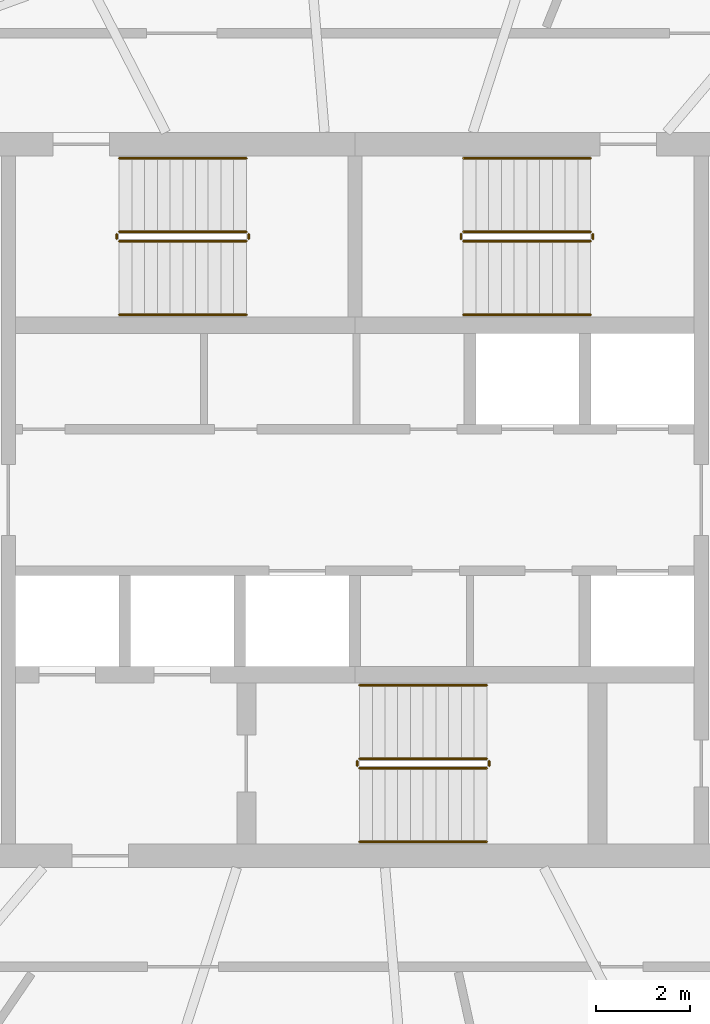
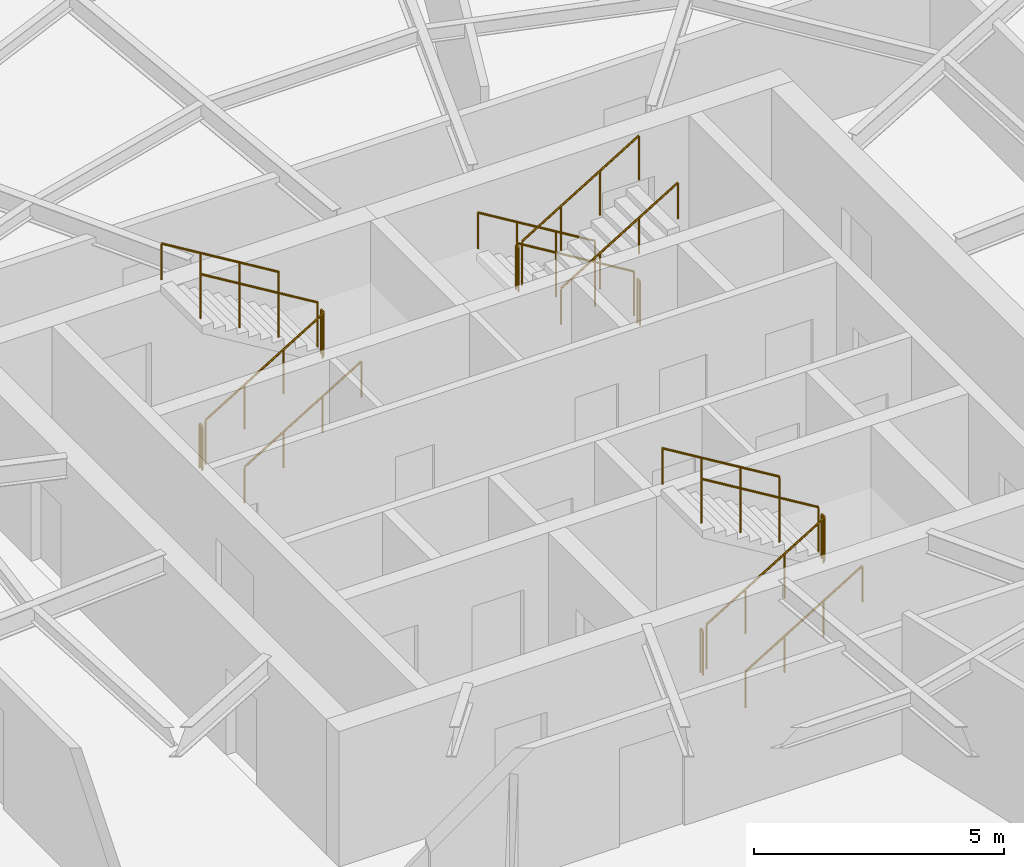
# One storey, part 13 of 14: 18 railings.
"""IFC4 building model written with IfcOpenShell, lengths in metres."""

from ifc_helpers import new_model, si_unit, direction, frame, origin, origin_2d, place, context, subcontext, project, spatial, circle, extrude, material, type_object, element, save


model = new_model("IFC4")

# Units and contexts
model_context = context("Model", 3, precision=1e-05, world=origin(), true_north=direction((0.0, 1.0)))
body_context = subcontext(model_context, "Body", "Model", "MODEL_VIEW")
ifc_project = project(units=[si_unit("LENGTHUNIT", "METRE"), si_unit("AREAUNIT", "SQUARE_METRE"), si_unit("VOLUMEUNIT", "CUBIC_METRE"), si_unit("PLANEANGLEUNIT", "RADIAN"), si_unit("MASSUNIT", "GRAM", prefix="KILO")], contexts=[model_context])

# Site, building, storey
site_placement = place(None, origin())
site = spatial("IfcSite", under=ifc_project, at=site_placement, CompositionType="ELEMENT")
building_placement = place(site_placement, origin())
building = spatial("IfcBuilding", under=site, at=building_placement, Name="Vermilion Reach Broadcast Tower", CompositionType="ELEMENT")
storey_placement = place(building_placement, frame((0.0, 0.0, 257.699951171875)))
storey = spatial("IfcBuildingStorey", under=building, at=storey_placement, Name="L63", CompositionType="ELEMENT", Elevation=257.699951171875)

# Railings
ifc_material_1 = material(Name="Stainless steel", Category="steel")
railing_type_1 = type_object("IfcRailingType", Name="Stair guard 1100", PredefinedType="GUARDRAIL", material=ifc_material_1)
railing_1_placement = place(storey_placement, frame((-11.0, 5.489990234375, 0.16357421875)))
element("IfcRailing", 1, at=railing_1_placement, inside=storey, type_object=railing_type_1, Name="L63 ST1 stair guard 1", PredefinedType="GUARDRAIL", context=body_context, shape_type="SweptSolid", body=[
    extrude(circle(Radius=0.02392578125, at=origin_2d()), frame((0.0, 0.0, 1.076171875), z_axis=(0.855178096276, 0.0, 0.518334277904), x_axis=(0.0, 1.0, 0.0)), (0.0, 0.0, 1.0), 3.1572265625),
    extrude(circle(Radius=0.02099609375, at=origin_2d()), origin(), (0.0, 0.0, 1.0), 1.052001953125),
    extrude(circle(Radius=0.02099609375, at=origin_2d()), frame((0.89990234375, 0.0, 0.54541015625)), (0.0, 0.0, 1.0), 1.052001953125),
    extrude(circle(Radius=0.02099609375, at=origin_2d()), frame((1.800048828125, 0.0, 1.091064453125)), (0.0, 0.0, 1.0), 1.052001953125),
    extrude(circle(Radius=0.02099609375, at=origin_2d()), frame((2.699951171875, 0.0, 1.636474609375)), (0.0, 0.0, 1.0), 1.052001953125),
])
railing_2_placement = place(storey_placement, frame((-8.25, 5.5400390625, 1.800048828125)))
element("IfcRailing", 2, at=railing_2_placement, inside=storey, type_object=railing_type_1, Name="L63 ST1 stair guard 2", PredefinedType="GUARDRAIL", context=body_context, shape_type="SweptSolid", body=[
    extrude(circle(Radius=0.02392578125, at=origin_2d()), frame((0.0, 0.0, 1.076171875), z_axis=(0.0, 1.0, 0.0), x_axis=(-1.0, 0.0, 0.0)), (0.0, 0.0, 1.0), 0.099853515625),
    extrude(circle(Radius=0.02099609375, at=origin_2d()), origin(), (0.0, 0.0, 1.0), 1.052001953125),
    extrude(circle(Radius=0.02099609375, at=origin_2d()), frame((0.0, 0.099853515625, 0.0)), (0.0, 0.0, 1.0), 1.052001953125),
])
railing_3_placement = place(storey_placement, frame((-8.300048828125, 5.68994140625, 1.963623046875)))
element("IfcRailing", 3, at=railing_3_placement, inside=storey, type_object=railing_type_1, Name="L63 ST1 stair guard 3", PredefinedType="GUARDRAIL", context=body_context, shape_type="SweptSolid", body=[
    extrude(circle(Radius=0.02392578125, at=origin_2d()), frame((0.0, 0.0, 1.076171875), z_axis=(-0.855178096276, 0.0, 0.518334277904), x_axis=(0.0, -1.0, 0.0)), (0.0, 0.0, 1.0), 3.1572265625),
    extrude(circle(Radius=0.02099609375, at=origin_2d()), origin(), (0.0, 0.0, 1.0), 1.052001953125),
    extrude(circle(Radius=0.02099609375, at=origin_2d()), frame((-0.89990234375, 0.0, 0.54541015625)), (0.0, 0.0, 1.0), 1.052001953125),
    extrude(circle(Radius=0.02099609375, at=origin_2d()), frame((-1.800048828125, 0.0, 1.091064453125)), (0.0, 0.0, 1.0), 1.052001953125),
    extrude(circle(Radius=0.02099609375, at=origin_2d()), frame((-2.699951171875, 0.0, 1.636474609375)), (0.0, 0.0, 1.0), 1.052001953125),
])
railing_4_placement = place(storey_placement, frame((-11.050048828125, 5.5400390625, 0.0)))
element("IfcRailing", 4, at=railing_4_placement, inside=storey, type_object=railing_type_1, Name="L63 ST1 stair guard 4", PredefinedType="GUARDRAIL", context=body_context, shape_type="SweptSolid", body=[
    extrude(circle(Radius=0.02392578125, at=origin_2d()), frame((0.0, 0.0, 1.076171875), z_axis=(0.0, 1.0, 0.0), x_axis=(-1.0, 0.0, 0.0)), (0.0, 0.0, 1.0), 0.099853515625),
    extrude(circle(Radius=0.02099609375, at=origin_2d()), origin(), (0.0, 0.0, 1.0), 1.052001953125),
    extrude(circle(Radius=0.02099609375, at=origin_2d()), frame((0.0, 0.099853515625, 0.0)), (0.0, 0.0, 1.0), 1.052001953125),
])
railing_5_placement = place(storey_placement, frame((-1.0, 5.68994140625, 0.16357421875)))
element("IfcRailing", 5, at=railing_5_placement, inside=storey, type_object=railing_type_1, Name="L63 ST2 stair guard 1", PredefinedType="GUARDRAIL", context=body_context, shape_type="SweptSolid", body=[
    extrude(circle(Radius=0.02392578125, at=origin_2d()), frame((0.0, 0.0, 1.076171875), z_axis=(-0.855178096276, 0.0, 0.518334277904), x_axis=(0.0, -1.0, 0.0)), (0.0, 0.0, 1.0), 3.1572265625),
    extrude(circle(Radius=0.02099609375, at=origin_2d()), origin(), (0.0, 0.0, 1.0), 1.052001953125),
    extrude(circle(Radius=0.02099609375, at=origin_2d()), frame((-0.89990234375, 0.0, 0.54541015625)), (0.0, 0.0, 1.0), 1.052001953125),
    extrude(circle(Radius=0.02099609375, at=origin_2d()), frame((-1.800048828125, 0.0, 1.091064453125)), (0.0, 0.0, 1.0), 1.052001953125),
    extrude(circle(Radius=0.02099609375, at=origin_2d()), frame((-2.699951171875, 0.0, 1.636474609375)), (0.0, 0.0, 1.0), 1.052001953125),
])
railing_6_placement = place(storey_placement, frame((-3.75, 5.639892578125, 1.800048828125)))
element("IfcRailing", 6, at=railing_6_placement, inside=storey, type_object=railing_type_1, Name="L63 ST2 stair guard 2", PredefinedType="GUARDRAIL", context=body_context, shape_type="SweptSolid", body=[
    extrude(circle(Radius=0.02392578125, at=origin_2d()), frame((0.0, 0.0, 1.076171875), z_axis=(0.0, -1.0, 0.0), x_axis=(1.0, 0.0, 0.0)), (0.0, 0.0, 1.0), 0.099853515625),
    extrude(circle(Radius=0.02099609375, at=origin_2d()), origin(), (0.0, 0.0, 1.0), 1.052001953125),
    extrude(circle(Radius=0.02099609375, at=origin_2d()), frame((0.0, -0.099853515625, 0.0)), (0.0, 0.0, 1.0), 1.052001953125),
])
railing_7_placement = place(storey_placement, frame((-3.699951171875, 5.489990234375, 1.963623046875)))
element("IfcRailing", 7, at=railing_7_placement, inside=storey, type_object=railing_type_1, Name="L63 ST2 stair guard 3", PredefinedType="GUARDRAIL", context=body_context, shape_type="SweptSolid", body=[
    extrude(circle(Radius=0.02392578125, at=origin_2d()), frame((0.0, 0.0, 1.076171875), z_axis=(0.855178096276, 0.0, 0.518334277904), x_axis=(0.0, 1.0, 0.0)), (0.0, 0.0, 1.0), 3.1572265625),
    extrude(circle(Radius=0.02099609375, at=origin_2d()), origin(), (0.0, 0.0, 1.0), 1.052001953125),
    extrude(circle(Radius=0.02099609375, at=origin_2d()), frame((0.89990234375, 0.0, 0.54541015625)), (0.0, 0.0, 1.0), 1.052001953125),
    extrude(circle(Radius=0.02099609375, at=origin_2d()), frame((1.800048828125, 0.0, 1.091064453125)), (0.0, 0.0, 1.0), 1.052001953125),
    extrude(circle(Radius=0.02099609375, at=origin_2d()), frame((2.699951171875, 0.0, 1.636474609375)), (0.0, 0.0, 1.0), 1.052001953125),
])
railing_8_placement = place(storey_placement, frame((-0.949951171875, 5.639892578125, 0.0)))
element("IfcRailing", 8, at=railing_8_placement, inside=storey, type_object=railing_type_1, Name="L63 ST2 stair guard 4", PredefinedType="GUARDRAIL", context=body_context, shape_type="SweptSolid", body=[
    extrude(circle(Radius=0.02392578125, at=origin_2d()), frame((0.0, 0.0, 1.076171875), z_axis=(0.0, -1.0, 0.0), x_axis=(1.0, 0.0, 0.0)), (0.0, 0.0, 1.0), 0.099853515625),
    extrude(circle(Radius=0.02099609375, at=origin_2d()), origin(), (0.0, 0.0, 1.0), 1.052001953125),
    extrude(circle(Radius=0.02099609375, at=origin_2d()), frame((0.0, -0.099853515625, 0.0)), (0.0, 0.0, 1.0), 1.052001953125),
])
railing_9_placement = place(storey_placement, frame((-5.89990234375, -5.68994140625, 0.16357421875)))
element("IfcRailing", 9, at=railing_9_placement, inside=storey, type_object=railing_type_1, Name="L63 ST3 stair guard 1", PredefinedType="GUARDRAIL", context=body_context, shape_type="SweptSolid", body=[
    extrude(circle(Radius=0.02392578125, at=origin_2d()), frame((0.0, 0.0, 1.076171875), z_axis=(0.855178096276, 0.0, 0.518334277904), x_axis=(0.0, 1.0, 0.0)), (0.0, 0.0, 1.0), 3.1572265625),
    extrude(circle(Radius=0.02099609375, at=origin_2d()), origin(), (0.0, 0.0, 1.0), 1.052001953125),
    extrude(circle(Radius=0.02099609375, at=origin_2d()), frame((0.89990234375, 0.0, 0.54541015625)), (0.0, 0.0, 1.0), 1.052001953125),
    extrude(circle(Radius=0.02099609375, at=origin_2d()), frame((1.800048828125, 0.0, 1.091064453125)), (0.0, 0.0, 1.0), 1.052001953125),
    extrude(circle(Radius=0.02099609375, at=origin_2d()), frame((2.699951171875, 0.0, 1.636474609375)), (0.0, 0.0, 1.0), 1.052001953125),
])
railing_10_placement = place(storey_placement, frame((-3.14990234375, -5.639892578125, 1.800048828125)))
element("IfcRailing", 10, at=railing_10_placement, inside=storey, type_object=railing_type_1, Name="L63 ST3 stair guard 2", PredefinedType="GUARDRAIL", context=body_context, shape_type="SweptSolid", body=[
    extrude(circle(Radius=0.02392578125, at=origin_2d()), frame((0.0, 0.0, 1.076171875), z_axis=(0.0, 1.0, 0.0), x_axis=(-1.0, 0.0, 0.0)), (0.0, 0.0, 1.0), 0.099853515625),
    extrude(circle(Radius=0.02099609375, at=origin_2d()), origin(), (0.0, 0.0, 1.0), 1.052001953125),
    extrude(circle(Radius=0.02099609375, at=origin_2d()), frame((0.0, 0.099853515625, 0.0)), (0.0, 0.0, 1.0), 1.052001953125),
])
railing_11_placement = place(storey_placement, frame((-3.199951171875, -5.489990234375, 1.963623046875)))
element("IfcRailing", 11, at=railing_11_placement, inside=storey, type_object=railing_type_1, Name="L63 ST3 stair guard 3", PredefinedType="GUARDRAIL", context=body_context, shape_type="SweptSolid", body=[
    extrude(circle(Radius=0.02392578125, at=origin_2d()), frame((0.0, 0.0, 1.076171875), z_axis=(-0.855178096276, 0.0, 0.518334277904), x_axis=(0.0, -1.0, 0.0)), (0.0, 0.0, 1.0), 3.1572265625),
    extrude(circle(Radius=0.02099609375, at=origin_2d()), origin(), (0.0, 0.0, 1.0), 1.052001953125),
    extrude(circle(Radius=0.02099609375, at=origin_2d()), frame((-0.89990234375, 0.0, 0.54541015625)), (0.0, 0.0, 1.0), 1.052001953125),
    extrude(circle(Radius=0.02099609375, at=origin_2d()), frame((-1.800048828125, 0.0, 1.091064453125)), (0.0, 0.0, 1.0), 1.052001953125),
    extrude(circle(Radius=0.02099609375, at=origin_2d()), frame((-2.699951171875, 0.0, 1.636474609375)), (0.0, 0.0, 1.0), 1.052001953125),
])
railing_12_placement = place(storey_placement, frame((-5.949951171875, -5.639892578125, 0.0)))
element("IfcRailing", 12, at=railing_12_placement, inside=storey, type_object=railing_type_1, Name="L63 ST3 stair guard 4", PredefinedType="GUARDRAIL", context=body_context, shape_type="SweptSolid", body=[
    extrude(circle(Radius=0.02392578125, at=origin_2d()), frame((0.0, 0.0, 1.076171875), z_axis=(0.0, 1.0, 0.0), x_axis=(-1.0, 0.0, 0.0)), (0.0, 0.0, 1.0), 0.099853515625),
    extrude(circle(Radius=0.02099609375, at=origin_2d()), origin(), (0.0, 0.0, 1.0), 1.052001953125),
    extrude(circle(Radius=0.02099609375, at=origin_2d()), frame((0.0, 0.099853515625, 0.0)), (0.0, 0.0, 1.0), 1.052001953125),
])
ifc_material_2 = material(Name="Stainless steel", Category="steel")
railing_type_2 = type_object("IfcRailingType", Name="Stair handrail", PredefinedType="HANDRAIL", material=ifc_material_2)
railing_13_placement = place(storey_placement, frame((-11.0, 3.929931640625, 0.16357421875)))
element("IfcRailing", 13, at=railing_13_placement, inside=storey, type_object=railing_type_2, Name="L63 ST1 stair handrail 1", PredefinedType="HANDRAIL", context=body_context, shape_type="SweptSolid", body=[
    extrude(circle(Radius=0.02392578125, at=origin_2d()), frame((0.0, 0.0, 0.8759765625), z_axis=(0.855178096276, 0.0, 0.518334277904), x_axis=(0.0, 1.0, 0.0)), (0.0, 0.0, 1.0), 3.1572265625),
    extrude(circle(Radius=0.02099609375, at=origin_2d()), origin(), (0.0, 0.0, 1.0), 0.851806640625),
    extrude(circle(Radius=0.02099609375, at=origin_2d()), frame((0.89990234375, 0.0, 0.54541015625)), (0.0, 0.0, 1.0), 0.851806640625),
    extrude(circle(Radius=0.02099609375, at=origin_2d()), frame((1.800048828125, 0.0, 1.091064453125)), (0.0, 0.0, 1.0), 0.851806640625),
    extrude(circle(Radius=0.02099609375, at=origin_2d()), frame((2.699951171875, 0.0, 1.636474609375)), (0.0, 0.0, 1.0), 0.851806640625),
])
for number, where, name in (
    (14, (-8.300048828125, 7.25, 1.963623046875), "L63 ST1 stair handrail 2"),
    (15, (-1.0, 7.25, 0.16357421875), "L63 ST2 stair handrail 1"),
):
    element("IfcRailing", number, at=place(storey_placement, frame(where)), inside=storey, type_object=railing_type_2, Name=name, PredefinedType="HANDRAIL", context=body_context, shape_type="SweptSolid", body=[
        extrude(circle(Radius=0.02392578125, at=origin_2d()), frame((0.0, 0.0, 0.8759765625), z_axis=(-0.855178096276, 0.0, 0.518334277904), x_axis=(0.0, -1.0, 0.0)), (0.0, 0.0, 1.0), 3.1572265625),
        extrude(circle(Radius=0.02099609375, at=origin_2d()), origin(), (0.0, 0.0, 1.0), 0.851806640625),
        extrude(circle(Radius=0.02099609375, at=origin_2d()), frame((-0.89990234375, 0.0, 0.54541015625)), (0.0, 0.0, 1.0), 0.851806640625),
        extrude(circle(Radius=0.02099609375, at=origin_2d()), frame((-1.800048828125, 0.0, 1.091064453125)), (0.0, 0.0, 1.0), 0.851806640625),
        extrude(circle(Radius=0.02099609375, at=origin_2d()), frame((-2.699951171875, 0.0, 1.636474609375)), (0.0, 0.0, 1.0), 0.851806640625),
    ])
for number, where, name in (
    (16, (-3.699951171875, 3.929931640625, 1.963623046875), "L63 ST2 stair handrail 2"),
    (17, (-5.89990234375, -7.25, 0.16357421875), "L63 ST3 stair handrail 1"),
):
    element("IfcRailing", number, at=place(storey_placement, frame(where)), inside=storey, type_object=railing_type_2, Name=name, PredefinedType="HANDRAIL", context=body_context, shape_type="SweptSolid", body=[
        extrude(circle(Radius=0.02392578125, at=origin_2d()), frame((0.0, 0.0, 0.8759765625), z_axis=(0.855178096276, 0.0, 0.518334277904), x_axis=(0.0, 1.0, 0.0)), (0.0, 0.0, 1.0), 3.1572265625),
        extrude(circle(Radius=0.02099609375, at=origin_2d()), origin(), (0.0, 0.0, 1.0), 0.851806640625),
        extrude(circle(Radius=0.02099609375, at=origin_2d()), frame((0.89990234375, 0.0, 0.54541015625)), (0.0, 0.0, 1.0), 0.851806640625),
        extrude(circle(Radius=0.02099609375, at=origin_2d()), frame((1.800048828125, 0.0, 1.091064453125)), (0.0, 0.0, 1.0), 0.851806640625),
        extrude(circle(Radius=0.02099609375, at=origin_2d()), frame((2.699951171875, 0.0, 1.636474609375)), (0.0, 0.0, 1.0), 0.851806640625),
    ])
railing_14_placement = place(storey_placement, frame((-3.199951171875, -3.929931640625, 1.963623046875)))
element("IfcRailing", 18, at=railing_14_placement, inside=storey, type_object=railing_type_2, Name="L63 ST3 stair handrail 2", PredefinedType="HANDRAIL", context=body_context, shape_type="SweptSolid", body=[
    extrude(circle(Radius=0.02392578125, at=origin_2d()), frame((0.0, 0.0, 0.8759765625), z_axis=(-0.855178096276, 0.0, 0.518334277904), x_axis=(0.0, -1.0, 0.0)), (0.0, 0.0, 1.0), 3.1572265625),
    extrude(circle(Radius=0.02099609375, at=origin_2d()), origin(), (0.0, 0.0, 1.0), 0.851806640625),
    extrude(circle(Radius=0.02099609375, at=origin_2d()), frame((-0.89990234375, 0.0, 0.54541015625)), (0.0, 0.0, 1.0), 0.851806640625),
    extrude(circle(Radius=0.02099609375, at=origin_2d()), frame((-1.800048828125, 0.0, 1.091064453125)), (0.0, 0.0, 1.0), 0.851806640625),
    extrude(circle(Radius=0.02099609375, at=origin_2d()), frame((-2.699951171875, 0.0, 1.636474609375)), (0.0, 0.0, 1.0), 0.851806640625),
])

save(model, "model.ifc")
